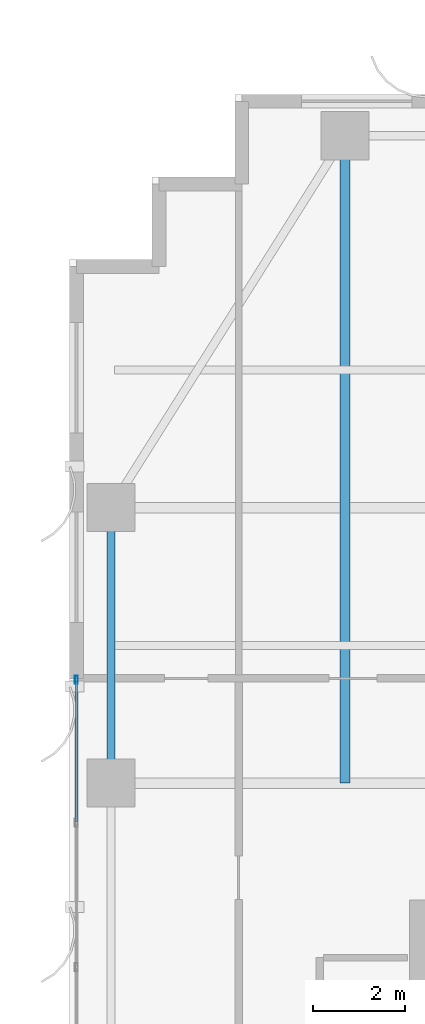
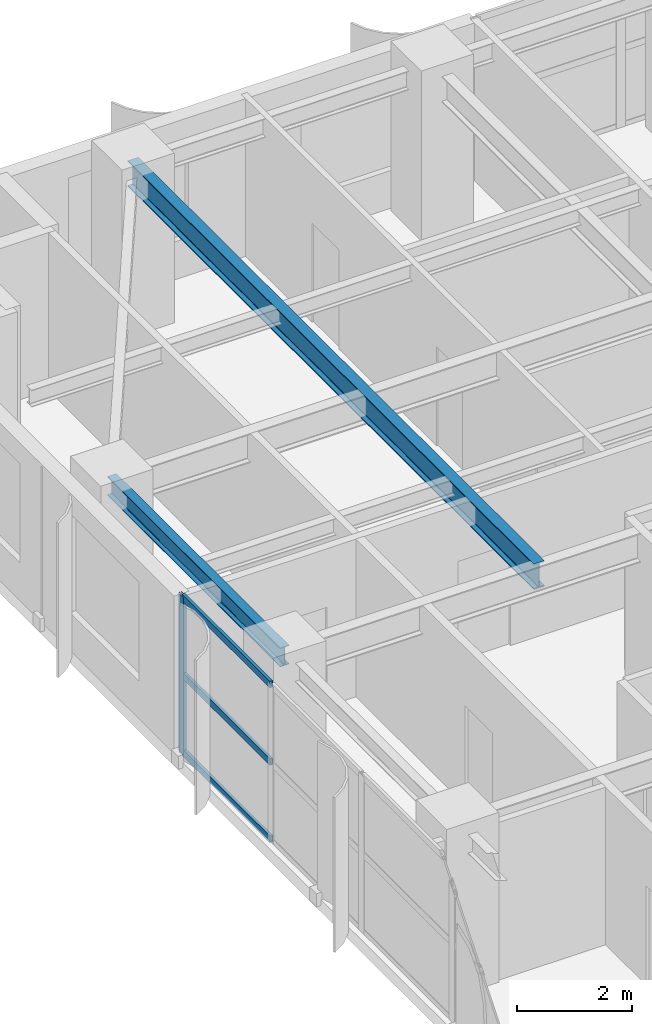
# One storey, part 11 of 27: 4 members, 2 beams, 1 element without a shape of its own.
"""IFC4 building model written with IfcOpenShell, lengths in metres."""

import ifcopenshell
import ifcopenshell.guid

model = None  # the IFC model being written
_history = None  # IfcOwnerHistory: only IFC2X3 demands one
_inside = {}  # id of a spatial element -> (the spatial element, [elements in it])
_under = {}  # id of a project, library or spatial element -> (it, [spatial elements below it])
_declared = {}  # id of a project -> (the project, [libraries it declares])
_typed = {}  # id of a type object -> (the type object, [elements of that type])
_made_of = {}  # id of a material, layer set ... -> (it, [elements and type objects made of it])


def new_model(schema):
    """Start an empty IFC model of exactly this schema.

    Asked for "IFC4X3", IfcOpenShell would pick the latest addendum, in which some entities
    have other attributes; the version numbers below select the first issue.
    IFC2X3 requires an IfcOwnerHistory on every rooted entity: one is made here for all.
    """
    global model, _history
    if schema == "IFC4X3":
        model = ifcopenshell.file(schema_version=(4, 3, 0, 0))
    else:
        model = ifcopenshell.file(schema=schema)
    _inside.clear()
    _under.clear()
    _declared.clear()
    _typed.clear()
    _made_of.clear()
    _history = None
    if model.schema == "IFC2X3":
        org = make("IfcOrganization", Name="unknown")
        user = make(
            "IfcPersonAndOrganization",
            ThePerson=make("IfcPerson", FamilyName="unknown"),
            TheOrganization=org,
        )
        app = make(
            "IfcApplication",
            ApplicationDeveloper=org,
            Version="unknown",
            ApplicationFullName="unknown",
            ApplicationIdentifier="unknown",
        )
        _history = make(
            "IfcOwnerHistory",
            OwningUser=user,
            OwningApplication=app,
            ChangeAction="ADDED",
            CreationDate=0,
        )
    return model


def make(cls, **values):
    """One entity of the class cls with the attributes given. An attribute that is None is left unset."""
    return model.create_entity(
        cls, **{name: value for name, value in values.items() if value is not None}
    )


def rooted(cls, **values):
    """An entity with a GlobalId (a new one), such as an element, a storey or a relation."""
    return make(cls, GlobalId=ifcopenshell.guid.new(), OwnerHistory=_history, **values)


def si_unit(unit_type, name, prefix=None):
    """IfcSIUnit, for example si_unit("LENGTHUNIT", "METRE", prefix="MILLI")."""
    return make("IfcSIUnit", UnitType=unit_type, Prefix=prefix, Name=name)


def assignment(units):
    """IfcUnitAssignment: the units of a project."""
    return None if units is None else make("IfcUnitAssignment", Units=units)


def point(xyz):
    """IfcCartesianPoint."""
    return None if xyz is None else make("IfcCartesianPoint", Coordinates=xyz)


def direction(xyz):
    """IfcDirection."""
    return None if xyz is None else make("IfcDirection", DirectionRatios=xyz)


def frame(location, z_axis=None, x_axis=None):
    """IfcAxis2Placement3D, a coordinate frame: its origin and axes. An axis left out is left unset."""
    return make(
        "IfcAxis2Placement3D",
        Location=point(location),
        Axis=direction(z_axis),
        RefDirection=direction(x_axis),
    )


def frame_2d(location, x_axis=None):
    """IfcAxis2Placement2D, a coordinate frame in the plane: its origin and x axis."""
    return make(
        "IfcAxis2Placement2D", Location=point(location), RefDirection=direction(x_axis)
    )


def origin():
    """The frame at (0, 0, 0) with its axes left unset."""
    return frame((0.0, 0.0, 0.0))


def origin_2d():
    """The frame at (0, 0) in the plane with its x axis left unset."""
    return frame_2d((0.0, 0.0))


def place(relative_to, where):
    """IfcLocalPlacement: puts the frame where relative to a parent placement (None: the world)."""
    return make(
        "IfcLocalPlacement", PlacementRelTo=relative_to, RelativePlacement=where
    )


def context(
    kind, dimensions, precision=None, world=None, true_north=None, identifier=None
):
    """IfcGeometricRepresentationContext, for example the 3D "Model" context."""
    return make(
        "IfcGeometricRepresentationContext",
        ContextIdentifier=identifier,
        ContextType=kind,
        CoordinateSpaceDimension=dimensions,
        Precision=precision,
        WorldCoordinateSystem=world,
        TrueNorth=true_north,
    )


def subcontext(parent, identifier, kind, view, scale=None):
    """IfcGeometricRepresentationSubContext, for example "Body" below "Model"."""
    return make(
        "IfcGeometricRepresentationSubContext",
        ContextIdentifier=identifier,
        ContextType=kind,
        ParentContext=parent,
        TargetScale=scale,
        TargetView=view,
    )


def project(units=None, contexts=None):
    """IfcProject with its units and contexts."""
    return rooted(
        "IfcProject",
        Name="project",
        RepresentationContexts=contexts,
        UnitsInContext=assignment(units),
    )


def spatial(cls, under=None, at=None, **own):
    """A site, building, storey or space (cls), placed at a placement, below another one or the project."""
    s = rooted(cls, ObjectPlacement=at, **own)
    if under is not None:
        _under.setdefault(under.id(), (under, []))[1].append(s)
    return s


def profile(cls, at=None, kind="AREA", **sizes):
    """A parametric profile (cls). Its sizes go by their IFC names, for example OverallWidth=200.0."""
    return make(cls, ProfileType=kind, Position=at, **sizes)


def hollow_rectangle(**sizes):
    """IfcRectangleHollowProfileDef."""
    return profile("IfcRectangleHollowProfileDef", **sizes)


def i_section(**sizes):
    """IfcIShapeProfileDef."""
    return profile("IfcIShapeProfileDef", **sizes)


def extrude(swept, where, along, depth):
    """IfcExtrudedAreaSolid: the profile swept, set in the frame where, extruded along a direction by depth."""
    return make(
        "IfcExtrudedAreaSolid",
        SweptArea=swept,
        Position=where,
        ExtrudedDirection=direction(along),
        Depth=depth,
    )


def shape(context_of_items, identifier, shape_type, items):
    """IfcShapeRepresentation: the items that make up one representation, for example the "Body"."""
    return make(
        "IfcShapeRepresentation",
        ContextOfItems=context_of_items,
        RepresentationIdentifier=identifier,
        RepresentationType=shape_type,
        Items=items,
    )


def source(mapping_origin, context_of_items, identifier, shape_type, items):
    """IfcRepresentationMap: a shape defined once, which mapped items show again and again."""
    return make(
        "IfcRepresentationMap",
        MappingOrigin=mapping_origin,
        MappedRepresentation=shape(context_of_items, identifier, shape_type, items),
    )


def transform(
    local_origin,
    x_axis=None,
    y_axis=None,
    z_axis=None,
    scale=None,
    scale2=None,
    scale3=None,
    uniform=True,
):
    """IfcCartesianTransformationOperator3D, or its non-uniform kind. x_axis, y_axis, z_axis: its Axis1, 2, 3."""
    if uniform:
        return make(
            "IfcCartesianTransformationOperator3D",
            Axis1=direction(x_axis),
            Axis2=direction(y_axis),
            LocalOrigin=point(local_origin),
            Scale=scale,
            Axis3=direction(z_axis),
        )
    return make(
        "IfcCartesianTransformationOperator3DnonUniform",
        Axis1=direction(x_axis),
        Axis2=direction(y_axis),
        LocalOrigin=point(local_origin),
        Scale=scale,
        Axis3=direction(z_axis),
        Scale2=scale2,
        Scale3=scale3,
    )


def mapped(mapping_source, mapping_target):
    """IfcMappedItem: shows the shape of a source again, moved by a transform."""
    return make(
        "IfcMappedItem", MappingSource=mapping_source, MappingTarget=mapping_target
    )


def material(Name=None, Category=None):
    """IfcMaterial."""
    return make("IfcMaterial", Name=Name, Category=Category)


def layer(
    of_material, thickness, ventilated=None, Name=None, Category=None, Priority=None
):
    """IfcMaterialLayer: one layer of a wall or slab, of a material (None: an air gap)."""
    return make(
        "IfcMaterialLayer",
        Material=of_material,
        LayerThickness=thickness,
        IsVentilated=ventilated,
        Name=Name,
        Category=Category,
        Priority=Priority,
    )


def layer_set(layers, Name=None):
    """IfcMaterialLayerSet."""
    return make("IfcMaterialLayerSet", MaterialLayers=layers, LayerSetName=Name)


def material_profile(
    of_material, cross_section, Name=None, Category=None, Priority=None
):
    """IfcMaterialProfile: a cross section and its material."""
    return make(
        "IfcMaterialProfile",
        Name=Name,
        Material=of_material,
        Profile=cross_section,
        Priority=Priority,
        Category=Category,
    )


def profile_set(profiles, Name=None, composite=None):
    """IfcMaterialProfileSet."""
    return make(
        "IfcMaterialProfileSet",
        Name=Name,
        MaterialProfiles=profiles,
        CompositeProfile=composite,
    )


def made_of(thing, what):
    """Note that an element or type object is made of a material, layer set ...; save() writes the relation."""
    if what is not None:
        _made_of.setdefault(what.id(), (what, []))[1].append(thing)
    return thing


def type_object(cls, material=None, **own):
    """A type object (cls), such as IfcWallType, which elements share."""
    return made_of(rooted(cls, **own), material)


def element(
    cls,
    number,
    at=None,
    inside=None,
    cuts=None,
    type_object=None,
    material=None,
    context=None,
    identifier="Body",
    shape_type=None,
    held_by="IfcProductDefinitionShape",
    body=None,
    shapes=None,
    **own,
):
    """One element of the class cls, such as IfcWall. Its Tag is "e" and its number.

    at: its placement. inside: the storey or other place that contains it. cuts: it is an
    opening in that element (IfcRelVoidsElement). A single representation is given by context,
    identifier, shape_type and body (its items); several are given by shapes. held_by: the class
    of the entity that holds the representations. save() writes the other relations.
    """
    e = rooted(cls, Tag="e%d" % number, ObjectPlacement=at, **own)
    if body is not None:
        shapes = [shape(context, identifier, shape_type, body)]
    if shapes is not None:
        e.Representation = make(held_by, Representations=shapes)
    if inside is not None:
        _inside.setdefault(inside.id(), (inside, []))[1].append(e)
    if cuts is not None:
        rooted(
            "IfcRelVoidsElement", RelatingBuildingElement=cuts, RelatedOpeningElement=e
        )
    if type_object is not None:
        _typed.setdefault(type_object.id(), (type_object, []))[1].append(e)
    return made_of(e, material)


def aggregate(whole, parts):
    """IfcRelAggregates: a whole, such as a stair, and the parts it consists of."""
    return rooted("IfcRelAggregates", RelatingObject=whole, RelatedObjects=parts)


def save(model, path):
    """Write the relations noted so far, then the file.

    IfcRelAggregates (storeys below a building ...), IfcRelContainedInSpatialStructure (elements
    in a storey), IfcRelDefinesByType, IfcRelAssociatesMaterial and IfcRelDeclares: one each for
    every whole, place, type object, material and project.
    """
    for whole, parts in _under.values():
        aggregate(whole, parts)
    for where, things in _inside.values():
        rooted(
            "IfcRelContainedInSpatialStructure",
            RelatedElements=things,
            RelatingStructure=where,
        )
    for kind, things in _typed.values():
        rooted("IfcRelDefinesByType", RelatedObjects=things, RelatingType=kind)
    for what, things in _made_of.values():
        rooted("IfcRelAssociatesMaterial", RelatedObjects=things, RelatingMaterial=what)
    for by, libraries in _declared.values():
        rooted("IfcRelDeclares", RelatingContext=by, RelatedDefinitions=libraries)
    model.write(path)


model = new_model("IFC4")

# Units and contexts
model_context = context("Model", 3, precision=1e-05, world=origin(), true_north=direction((0.0, 1.0)))
body_context = subcontext(model_context, "Body", "Model", "MODEL_VIEW")
ifc_project = project(units=[si_unit("LENGTHUNIT", "METRE"), si_unit("AREAUNIT", "SQUARE_METRE"), si_unit("VOLUMEUNIT", "CUBIC_METRE"), si_unit("PLANEANGLEUNIT", "RADIAN"), si_unit("MASSUNIT", "GRAM", prefix="KILO")], contexts=[model_context])

# Site, building, storey
site_placement = place(None, origin())
site = spatial("IfcSite", under=ifc_project, at=site_placement, CompositionType="ELEMENT")
building_placement = place(site_placement, origin())
building = spatial("IfcBuilding", under=site, at=building_placement, Name="Khoralis Quay Care Tower", CompositionType="ELEMENT")
storey_placement = place(building_placement, frame((0.0, 0.0, 105.300048828125)))
storey = spatial("IfcBuildingStorey", under=building, at=storey_placement, Name="L27", CompositionType="ELEMENT", Elevation=105.300048828125)

# Beams
ifc_material_1 = material(Name="Steel S355", Category="steel")
ifc_material_profile_1 = material_profile(ifc_material_1, i_section(OverallWidth=0.179931640625, OverallDepth=0.39990234375, WebThickness=0.008544921875, FlangeThickness=0.013427734375, FilletRadius=0.02099609375, at=origin_2d()), Name="Steel S355")
ifc_profile_set_1 = profile_set([ifc_material_profile_1], Name="Steel S355")
beam_type_1 = type_object("IfcBeamType", Name="BM-IPE400", PredefinedType="SPANDREL", material=ifc_profile_set_1)
shared_shape_1 = source(origin(), body_context, "Body", "SweptSolid", [
    extrude(i_section(OverallWidth=0.179931640625, OverallDepth=0.39990234375, WebThickness=0.008544921875, FlangeThickness=0.013427734375, FilletRadius=0.02099609375, at=origin_2d()), origin(), (0.0, 0.0, 1.0), 6.0),
])
beam_1_placement = place(storey_placement, frame((0.89990234375, 30.0, 3.139892578125), z_axis=(0.0, 1.0, 0.0), x_axis=(-1.0, 0.0, 0.0)))
element("IfcBeam", 1, at=beam_1_placement, inside=storey, type_object=beam_type_1, Name="BM-TSP-L27-15", PredefinedType="SPANDREL", context=body_context, shape_type="MappedRepresentation", body=[
    mapped(shared_shape_1, transform((0.0, 0.0, 0.0), scale=1.0)),
])
ifc_material_profile_2 = material_profile(ifc_material_1, i_section(OverallWidth=0.2119140625, OverallDepth=0.5439453125, WebThickness=0.01318359375, FlangeThickness=0.021240234375, FilletRadius=0.01611328125, at=origin_2d()), Name="Steel S355")
ifc_profile_set_2 = profile_set([ifc_material_profile_2], Name="Steel S355")
beam_type_2 = type_object("IfcBeamType", Name="BM-W530X123", PredefinedType="BEAM", material=ifc_profile_set_2)
shared_shape_2 = source(origin(), body_context, "Body", "SweptSolid", [
    extrude(i_section(OverallWidth=0.2119140625, OverallDepth=0.5439453125, WebThickness=0.01318359375, FlangeThickness=0.021240234375, FilletRadius=0.01611328125, at=origin_2d()), origin(), (0.0, 0.0, 1.0), 14.10009765625),
])
beam_2_placement = place(storey_placement, frame((6.0, 30.0, 3.06787109375), z_axis=(0.0, 1.0, 0.0), x_axis=(-1.0, 0.0, 0.0)))
element("IfcBeam", 2, at=beam_2_placement, inside=storey, type_object=beam_type_2, Name="BM-TGYN-L27-60", PredefinedType="BEAM", context=body_context, shape_type="MappedRepresentation", body=[
    mapped(shared_shape_2, transform((0.0, 0.0, 0.0), scale=1.0)),
])

# Curtain wall, members
ifc_material_2 = material(Name="Pale anodised aluminium", Category="aluminium")
ifc_layer = layer(ifc_material_2, 0.169921875)
ifc_layer_set = layer_set([ifc_layer], Name="Pale anodised aluminium")
curtain_wall_type = type_object("IfcCurtainWallType", Name="CW-SYS-Z2", PredefinedType="NOTDEFINED", material=ifc_layer_set)
curtain_wall_placement = place(storey_placement, origin())
curtain_wall = element("IfcCurtainWall", 3, at=curtain_wall_placement, inside=storey, type_object=curtain_wall_type, Name="L27 Unitised Curtain Wall CW-L27-P1-E15", PredefinedType="NOTDEFINED")
ifc_material_profile_3 = material_profile(ifc_material_2, hollow_rectangle(XDim=0.06005859375, YDim=0.139892578125, WallThickness=0.00390625, at=origin_2d()), Name="Pale anodised aluminium")
ifc_profile_set_3 = profile_set([ifc_material_profile_3], Name="Pale anodised aluminium")
member_type_1 = type_object("IfcMemberType", Name="CW-TRN-140", PredefinedType="USERDEFINED", material=ifc_profile_set_3)
shared_shape_3 = source(origin(), body_context, "Body", "SweptSolid", [
    extrude(hollow_rectangle(XDim=0.06005859375, YDim=0.139892578125, WallThickness=0.00390625, at=origin_2d()), origin(), (0.0, 0.0, 1.0), 3.054931640625),
])
member_1_placement = place(storey_placement, frame((0.14990234375, 32.219970703125, 0.030029296875), z_axis=(0.0, -1.0, 0.0), x_axis=(1.0, 0.0, 0.0)))
member_1 = element("IfcMember", 4, at=member_1_placement, type_object=member_type_1, Name="CW2 transom 1.1", ObjectType="TRANSOM", PredefinedType="USERDEFINED", context=body_context, shape_type="MappedRepresentation", body=[
    mapped(shared_shape_3, transform((0.0, 0.0, 0.0), scale=1.0)),
])
member_2_placement = place(storey_placement, frame((0.14990234375, 32.219970703125, 1.669921875), z_axis=(0.0, -1.0, 0.0), x_axis=(1.0, 0.0, 0.0)))
member_2 = element("IfcMember", 5, at=member_2_placement, type_object=member_type_1, Name="CW2 transom 1.2", ObjectType="TRANSOM", PredefinedType="USERDEFINED", context=body_context, shape_type="MappedRepresentation", body=[
    mapped(shared_shape_3, transform((0.0, 0.0, 0.0), scale=1.0)),
])
member_3_placement = place(storey_placement, frame((0.14990234375, 32.219970703125, 3.31005859375), z_axis=(0.0, -1.0, 0.0), x_axis=(1.0, 0.0, 0.0)))
member_3 = element("IfcMember", 6, at=member_3_placement, type_object=member_type_1, Name="CW2 transom 1.3", ObjectType="TRANSOM", PredefinedType="USERDEFINED", context=body_context, shape_type="MappedRepresentation", body=[
    mapped(shared_shape_3, transform((0.0, 0.0, 0.0), scale=1.0)),
])
ifc_material_profile_4 = material_profile(ifc_material_2, hollow_rectangle(XDim=0.06494140625, YDim=0.179931640625, WallThickness=0.00390625, at=origin_2d()), Name="Pale anodised aluminium")
ifc_profile_set_4 = profile_set([ifc_material_profile_4], Name="Pale anodised aluminium")
member_type_2 = type_object("IfcMemberType", Name="CW-MUL-180", PredefinedType="MULLION", material=ifc_profile_set_4)
shared_shape_4 = source(origin(), body_context, "Body", "SweptSolid", [
    extrude(hollow_rectangle(XDim=0.06494140625, YDim=0.179931640625, WallThickness=0.00390625, at=origin_2d()), origin(), (0.0, 0.0, 1.0), 3.33984375),
])
member_4_placement = place(storey_placement, frame((0.14990234375, 32.25, 0.0), z_axis=(0.0, 0.0, 1.0), x_axis=(1.0, 0.0, 0.0)))
member_4 = element("IfcMember", 7, at=member_4_placement, type_object=member_type_2, Name="CW2 mullion 1", PredefinedType="MULLION", context=body_context, shape_type="MappedRepresentation", body=[
    mapped(shared_shape_4, transform((0.0, 0.0, 0.0), scale=1.0)),
])
aggregate(curtain_wall, [member_4, member_1, member_2, member_3])

save(model, "model.ifc")
